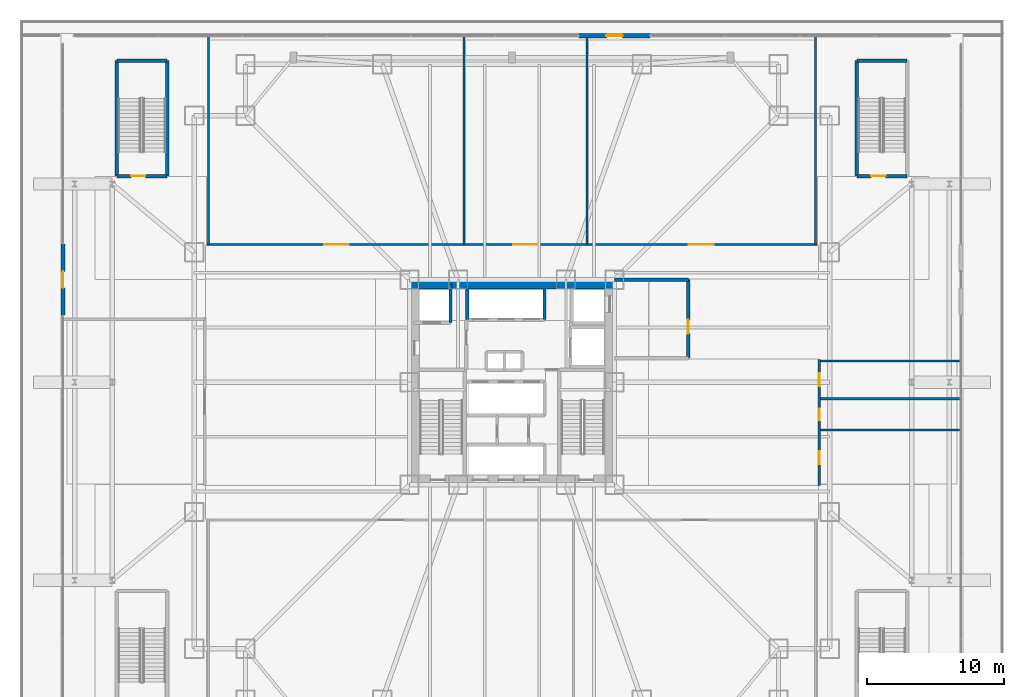
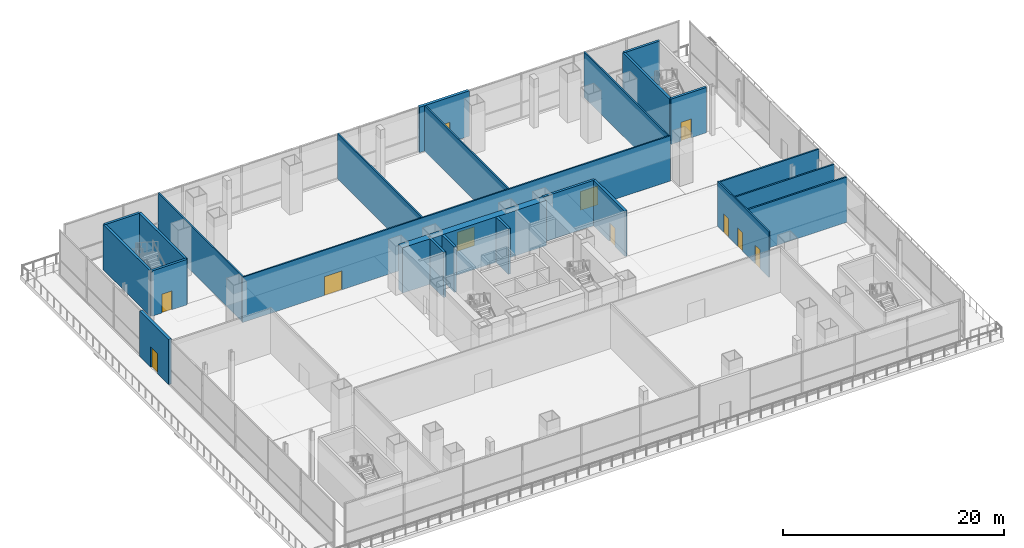
# One storey, part 23 of 36: 24 walls, 11 doors, 11 openings.
"""IFC4 building model written with IfcOpenShell, lengths in metres."""

from ifc_helpers import new_model, si_unit, direction, frame, frame_2d, origin, place, context, subcontext, project, spatial, rectangle, extrude, material, layer, layer_set, type_object, element, fill, save


model = new_model("IFC4")

# Units and contexts
model_context = context("Model", 3, precision=1e-05, world=origin(), true_north=direction((0.0, 1.0)))
body_context = subcontext(model_context, "Body", "Model", "MODEL_VIEW")
ifc_project = project(units=[si_unit("LENGTHUNIT", "METRE"), si_unit("AREAUNIT", "SQUARE_METRE"), si_unit("VOLUMEUNIT", "CUBIC_METRE"), si_unit("PLANEANGLEUNIT", "RADIAN"), si_unit("MASSUNIT", "GRAM", prefix="KILO")], contexts=[model_context])

# Site, building, storey
site_placement = place(None, origin())
site = spatial("IfcSite", under=ifc_project, at=site_placement, CompositionType="ELEMENT")
building_placement = place(site_placement, origin())
building = spatial("IfcBuilding", under=site, at=building_placement, Name="Trevonay Congress Spire", CompositionType="ELEMENT")
storey_placement = place(building_placement, frame((0.0, 0.0, 16.199951171875)))
storey = spatial("IfcBuildingStorey", under=building, at=storey_placement, Name="L03", CompositionType="ELEMENT", Elevation=16.199951171875)

# Wall
ifc_material_1 = material(Name="Concrete C60/75", Category="concrete")
ifc_layer_1 = layer(ifc_material_1, 0.699951171875, Name="Concrete C60/75")
ifc_layer_set_1 = layer_set([ifc_layer_1], Name="Concrete C60/75")
wall_type_1 = type_object("IfcWallType", Name="WAL-CORE-700", PredefinedType="SHEAR", material=ifc_layer_set_1)
wall_1_placement = place(storey_placement, frame((-7.5, 7.14990234375, 0.0), z_axis=(0.0, 0.0, 1.0), x_axis=(1.0, 0.0, 0.0)))
element("IfcWall", 1, at=wall_1_placement, inside=storey, type_object=wall_type_1, Name="L03 North structural core shear wall", PredefinedType="SHEAR", context=body_context, shape_type="SweptSolid", body=[
    extrude(rectangle(XDim=15.0, YDim=0.699951171875, at=frame_2d((7.5, 0.0))), origin(), (0.0, 0.0, 1.0), 5.0),
])

# Wall, openings, doors
ifc_material_2 = material(Name="Concrete C40/50", Category="concrete")
ifc_layer_2 = layer(ifc_material_2, 0.14990234375, Name="Concrete C40/50")
ifc_layer_set_2 = layer_set([ifc_layer_2], Name="Concrete C40/50")
wall_type_2 = type_object("IfcWallType", Name="WAL-CORR-150", PredefinedType="PARTITIONING", material=ifc_layer_set_2)
wall_2_placement = place(storey_placement, frame((-22.320068359375, 10.080078125, 0.0), z_axis=(0.0, 0.0, 1.0), x_axis=(1.0, 0.0, 0.0)))
wall_2 = element("IfcWall", 2, at=wall_2_placement, inside=storey, type_object=wall_type_2, Name="L03 interior wall WP-L03N-COR", PredefinedType="PARTITIONING", context=body_context, shape_type="SweptSolid", body=[
    extrude(rectangle(XDim=44.64013671875, YDim=0.14990234375, at=frame_2d((22.320068359375, 0.0))), origin(), (0.0, 0.0, 1.0), 5.0),
])
opening_1_placement = place(wall_2_placement, frame((8.570068359375, 0.0, 0.0)))
opening_1 = element("IfcOpeningElement", 3, at=opening_1_placement, cuts=wall_2, Name="Opening D09", PredefinedType="OPENING", context=body_context, shape_type="SweptSolid", body=[
    extrude(rectangle(XDim=1.800048828125, YDim=2.080078125, at=frame_2d((0.89990234375, 1.0400390625))), frame((0.0, 0.0849609375, 0.0), z_axis=(0.0, -1.0, 0.0), x_axis=(1.0, 0.0, 0.0)), (0.0, 0.0, 1.0), 0.169921875),
])
opening_2_placement = place(wall_2_placement, frame((22.419921875, 0.0, 0.0)))
opening_2 = element("IfcOpeningElement", 4, at=opening_2_placement, cuts=wall_2, Name="Opening D09", PredefinedType="OPENING", context=body_context, shape_type="SweptSolid", body=[
    extrude(rectangle(XDim=1.800048828125, YDim=2.080078125, at=frame_2d((0.89990234375, 1.0400390625))), frame((0.0, 0.0849609375, 0.0), z_axis=(0.0, -1.0, 0.0), x_axis=(1.0, 0.0, 0.0)), (0.0, 0.0, 1.0), 0.169921875),
])
opening_3_placement = place(wall_2_placement, frame((35.27001953125, 0.0, 0.0)))
opening_3 = element("IfcOpeningElement", 5, at=opening_3_placement, cuts=wall_2, Name="Opening D09", PredefinedType="OPENING", context=body_context, shape_type="SweptSolid", body=[
    extrude(rectangle(XDim=1.800048828125, YDim=2.080078125, at=frame_2d((0.89990234375, 1.0400390625))), frame((0.0, 0.0849609375, 0.0), z_axis=(0.0, -1.0, 0.0), x_axis=(1.0, 0.0, 0.0)), (0.0, 0.0, 1.0), 0.169921875),
])
ifc_material_3 = material(Name="Pale Anodised Aluminium EN AW-6063-T6", Category="aluminium")
door_type_1 = type_object("IfcDoorType", Name="DOR-CONF-DBL", OperationType="DOUBLE_DOOR_SINGLE_SWING", PredefinedType="DOOR", material=ifc_material_3)
door_1_placement = place(opening_1_placement, origin())
door_1 = element("IfcDoor", 6, at=door_1_placement, inside=storey, type_object=door_type_1, Name="L03 Junior Banquet Dining Hall Door", OperationType="DOUBLE_DOOR_SINGLE_SWING", OverallHeight=2.080078125, OverallWidth=1.800048828125, PredefinedType="DOOR", context=body_context, shape_type="SweptSolid", body=[
    extrude(rectangle(XDim=1.800048828125, YDim=2.080078125, at=frame_2d((0.89990234375, 1.0400390625))), frame((0.0, 0.02490234375, 0.0), z_axis=(0.0, -1.0, 0.0), x_axis=(1.0, 0.0, 0.0)), (0.0, 0.0, 1.0), 0.050048828125),
])
fill(opening_1, door_1)
door_2_placement = place(opening_2_placement, origin())
door_2 = element("IfcDoor", 7, at=door_2_placement, inside=storey, type_object=door_type_1, Name="L03 Main Banquet Production Kitchen Door", OperationType="DOUBLE_DOOR_SINGLE_SWING", OverallHeight=2.080078125, OverallWidth=1.800048828125, PredefinedType="DOOR", context=body_context, shape_type="SweptSolid", body=[
    extrude(rectangle(XDim=1.800048828125, YDim=2.080078125, at=frame_2d((0.89990234375, 1.0400390625))), frame((0.0, 0.02490234375, 0.0), z_axis=(0.0, -1.0, 0.0), x_axis=(1.0, 0.0, 0.0)), (0.0, 0.0, 1.0), 0.050048828125),
])
fill(opening_2, door_2)
door_3_placement = place(opening_3_placement, origin())
door_3 = element("IfcDoor", 8, at=door_3_placement, inside=storey, type_object=door_type_1, Name="L03 Pastry Kitchen Door", OperationType="DOUBLE_DOOR_SINGLE_SWING", OverallHeight=2.080078125, OverallWidth=1.800048828125, PredefinedType="DOOR", context=body_context, shape_type="SweptSolid", body=[
    extrude(rectangle(XDim=1.800048828125, YDim=2.080078125, at=frame_2d((0.89990234375, 1.0400390625))), frame((0.0, 0.02490234375, 0.0), z_axis=(0.0, -1.0, 0.0), x_axis=(1.0, 0.0, 0.0)), (0.0, 0.0, 1.0), 0.050048828125),
])
fill(opening_3, door_3)

wall_3_placement = place(storey_placement, frame((22.47998046875, -7.570068359375, 0.0), z_axis=(0.0, 0.0, 1.0), x_axis=(0.0, 1.0, 0.0)))
wall_3 = element("IfcWall", 9, at=wall_3_placement, inside=storey, type_object=wall_type_2, Name="L03 interior wall WP-L03E-COR", PredefinedType="PARTITIONING", context=body_context, shape_type="SweptSolid", body=[
    extrude(rectangle(XDim=9.239990234375, YDim=0.14990234375, at=frame_2d((4.6201171875, 0.0))), origin(), (0.0, 0.0, 1.0), 5.0),
])
opening_4_placement = place(wall_3_placement, frame((1.580078125, 0.0, 0.0)))
opening_4 = element("IfcOpeningElement", 10, at=opening_4_placement, cuts=wall_3, Name="Opening D07", PredefinedType="OPENING", context=body_context, shape_type="SweptSolid", body=[
    extrude(rectangle(XDim=0.949951171875, YDim=2.06005859375, at=frame_2d((0.47509765625, 1.030029296875))), frame((0.0, 0.0849609375, 0.0), z_axis=(0.0, -1.0, 0.0), x_axis=(1.0, 0.0, 0.0)), (0.0, 0.0, 1.0), 0.169921875),
])
opening_5_placement = place(wall_3_placement, frame((4.784912109375, 0.0, 0.0)))
opening_5 = element("IfcOpeningElement", 11, at=opening_5_placement, cuts=wall_3, Name="Opening D10", PredefinedType="OPENING", context=body_context, shape_type="SweptSolid", body=[
    extrude(rectangle(XDim=0.85009765625, YDim=2.050048828125, at=frame_2d((0.425048828125, 1.02490234375))), frame((0.0, 0.0849609375, 0.0), z_axis=(0.0, -1.0, 0.0), x_axis=(1.0, 0.0, 0.0)), (0.0, 0.0, 1.0), 0.169921875),
])
opening_6_placement = place(wall_3_placement, frame((7.260009765625, 0.0, 0.0)))
opening_6 = element("IfcOpeningElement", 12, at=opening_6_placement, cuts=wall_3, Name="Opening D07", PredefinedType="OPENING", context=body_context, shape_type="SweptSolid", body=[
    extrude(rectangle(XDim=0.949951171875, YDim=2.06005859375, at=frame_2d((0.47509765625, 1.030029296875))), frame((0.0, 0.0849609375, 0.0), z_axis=(0.0, -1.0, 0.0), x_axis=(1.0, 0.0, 0.0)), (0.0, 0.0, 1.0), 0.169921875),
])
door_type_2 = type_object("IfcDoorType", Name="DOR-OFFICE-95", OperationType="NOTDEFINED", PredefinedType="DOOR", material=ifc_material_3)
door_4_placement = place(opening_4_placement, origin())
door_4 = element("IfcDoor", 13, at=door_4_placement, inside=storey, type_object=door_type_2, Name="L03 Ballroom AV Control Office Door", OperationType="SINGLE_SWING_RIGHT", OverallHeight=2.06005859375, OverallWidth=0.949951171875, PredefinedType="DOOR", context=body_context, shape_type="SweptSolid", body=[
    extrude(rectangle(XDim=0.949951171875, YDim=2.06005859375, at=frame_2d((0.47509765625, 1.030029296875))), frame((0.0, 0.02490234375, 0.0), z_axis=(0.0, -1.0, 0.0), x_axis=(1.0, 0.0, 0.0)), (0.0, 0.0, 1.0), 0.050048828125),
])
fill(opening_4, door_4)
door_5_placement = place(opening_6_placement, origin())
door_5 = element("IfcDoor", 14, at=door_5_placement, inside=storey, type_object=door_type_2, Name="L03 Floor Supplies and Copy Room Door", OperationType="SINGLE_SWING_RIGHT", OverallHeight=2.06005859375, OverallWidth=0.949951171875, PredefinedType="DOOR", context=body_context, shape_type="SweptSolid", body=[
    extrude(rectangle(XDim=0.949951171875, YDim=2.06005859375, at=frame_2d((0.47509765625, 1.030029296875))), frame((0.0, 0.02490234375, 0.0), z_axis=(0.0, -1.0, 0.0), x_axis=(1.0, 0.0, 0.0)), (0.0, 0.0, 1.0), 0.050048828125),
])
fill(opening_6, door_5)
door_type_3 = type_object("IfcDoorType", Name="DOR-WC-85", OperationType="NOTDEFINED", PredefinedType="DOOR", material=ifc_material_3)
door_6_placement = place(opening_5_placement, origin())
door_6 = element("IfcDoor", 15, at=door_6_placement, inside=storey, type_object=door_type_3, Name="L03 Female Restroom WC Door", OperationType="SINGLE_SWING_LEFT", OverallHeight=2.050048828125, OverallWidth=0.85009765625, PredefinedType="DOOR", context=body_context, shape_type="SweptSolid", body=[
    extrude(rectangle(XDim=0.85009765625, YDim=2.050048828125, at=frame_2d((0.425048828125, 1.02490234375))), frame((0.0, 0.02490234375, 0.0), z_axis=(0.0, -1.0, 0.0), x_axis=(1.0, 0.0, 0.0)), (0.0, 0.0, 1.0), 0.050048828125),
])
fill(opening_5, door_6)

# Wall, opening, door
ifc_material_4 = material(Name="Precast concrete C40/50", Category="concrete")
ifc_layer_3 = layer(ifc_material_4, 0.300048828125, Name="Precast concrete C40/50")
ifc_layer_set_3 = layer_set([ifc_layer_3], Name="Precast concrete C40/50")
wall_type_3 = type_object("IfcWallType", Name="WAL-EXT-PRECAST-300", PredefinedType="SOLIDWALL", material=ifc_layer_set_3)
wall_4_placement = place(storey_placement, frame((-32.85009765625, 4.89990234375, 0.0), z_axis=(0.0, 0.0, 1.0), x_axis=(0.0, 1.0, 0.0)))
wall_4 = element("IfcWall", 16, at=wall_4_placement, inside=storey, type_object=wall_type_3, Name="L03 W terrace doorway backup wall", PredefinedType="SOLIDWALL", context=body_context, shape_type="SweptSolid", body=[
    extrude(rectangle(XDim=5.2001953125, YDim=0.300048828125, at=frame_2d((2.60009765625, 0.0))), origin(), (0.0, 0.0, 1.0), 5.0),
])
opening_7_placement = place(wall_4_placement, frame((2.0, 0.0, 0.0)))
opening_7 = element("IfcOpeningElement", 17, at=opening_7_placement, cuts=wall_4, Name="Opening D12", PredefinedType="OPENING", context=body_context, shape_type="SweptSolid", body=[
    extrude(rectangle(XDim=1.199951171875, YDim=2.25, at=frame_2d((0.60009765625, 1.125))), frame((0.0, 0.16015625, 0.0), z_axis=(0.0, -1.0, 0.0), x_axis=(1.0, 0.0, 0.0)), (0.0, 0.0, 1.0), 0.320068359375),
])
door_type_4 = type_object("IfcDoorType", Name="DOR-EXT-TERR-120", OperationType="NOTDEFINED", PredefinedType="DOOR", material=ifc_material_3)
door_7_placement = place(opening_7_placement, origin())
door_7 = element("IfcDoor", 18, at=door_7_placement, inside=storey, type_object=door_type_4, Name="L03 W stepped terrace access door", OperationType="SINGLE_SWING_LEFT", OverallHeight=2.25, OverallWidth=1.199951171875, PredefinedType="DOOR", context=body_context, shape_type="SweptSolid", body=[
    extrude(rectangle(XDim=1.199951171875, YDim=2.25, at=frame_2d((0.60009765625, 1.125))), frame((0.0, 0.02490234375, 0.0), z_axis=(0.0, -1.0, 0.0), x_axis=(1.0, 0.0, 0.0)), (0.0, 0.0, 1.0), 0.050048828125),
])
fill(opening_7, door_7)

wall_5_placement = place(storey_placement, frame((4.89990234375, 25.35009765625, 0.0), z_axis=(0.0, 0.0, 1.0), x_axis=(1.0, 0.0, 0.0)))
wall_5 = element("IfcWall", 19, at=wall_5_placement, inside=storey, type_object=wall_type_3, Name="L03 N terrace doorway backup wall", PredefinedType="SOLIDWALL", context=body_context, shape_type="SweptSolid", body=[
    extrude(rectangle(XDim=5.2001953125, YDim=0.300048828125, at=frame_2d((2.60009765625, 0.0))), origin(), (0.0, 0.0, 1.0), 5.0),
])
opening_8_placement = place(wall_5_placement, frame((2.0, 0.0, 0.0)))
opening_8 = element("IfcOpeningElement", 20, at=opening_8_placement, cuts=wall_5, Name="Opening D12", PredefinedType="OPENING", context=body_context, shape_type="SweptSolid", body=[
    extrude(rectangle(XDim=1.199951171875, YDim=2.25, at=frame_2d((0.60009765625, 1.125))), frame((0.0, 0.16015625, 0.0), z_axis=(0.0, -1.0, 0.0), x_axis=(1.0, 0.0, 0.0)), (0.0, 0.0, 1.0), 0.320068359375),
])
door_8_placement = place(opening_8_placement, origin())
door_8 = element("IfcDoor", 21, at=door_8_placement, inside=storey, type_object=door_type_4, Name="L03 N stepped terrace access door", OperationType="SINGLE_SWING_LEFT", OverallHeight=2.25, OverallWidth=1.199951171875, PredefinedType="DOOR", context=body_context, shape_type="SweptSolid", body=[
    extrude(rectangle(XDim=1.199951171875, YDim=2.25, at=frame_2d((0.60009765625, 1.125))), frame((0.0, 0.02490234375, 0.0), z_axis=(0.0, -1.0, 0.0), x_axis=(1.0, 0.0, 0.0)), (0.0, 0.0, 1.0), 0.050048828125),
])
fill(opening_8, door_8)

# Walls
ifc_layer_4 = layer(ifc_material_2, 0.14990234375, Name="Concrete C40/50")
ifc_layer_set_4 = layer_set([ifc_layer_4], Name="Concrete C40/50")
wall_type_4 = type_object("IfcWallType", Name="WAL-PART-150", PredefinedType="PARTITIONING", material=ifc_layer_set_4)
for number, where, z_axis, x_axis, name in (
    (22, (-22.199951171875, 10.080078125, 0.0), (0.0, 0.0, 1.0), (0.0, 1.0, 0.0), "L03 interior wall WP-L03N-DIV1"),
    (23, (-3.5, 10.080078125, 0.0), (0.0, 0.0, 1.0), (0.0, 1.0, 0.0), "L03 interior wall WP-L03N-DIV2"),
    (24, (5.5, 10.080078125, 0.0), (0.0, 0.0, 1.0), (0.0, 1.0, 0.0), "L03 interior wall WP-L03N-DIV3"),
    (25, (22.199951171875, 10.080078125, 0.0), (0.0, 0.0, 1.0), (0.0, 1.0, 0.0), "L03 interior wall WP-L03N-DIV4"),
):
    element("IfcWall", number, at=place(storey_placement, frame(where, z_axis=z_axis, x_axis=x_axis)), inside=storey, type_object=wall_type_4, Name=name, PredefinedType="PARTITIONING", context=body_context, shape_type="SweptSolid", body=[
        extrude(rectangle(XDim=15.27001953125, YDim=0.14990234375, at=frame_2d((7.635009765625, 0.0))), origin(), (0.0, 0.0, 1.0), 5.0),
    ])
ifc_layer_5 = layer(ifc_material_2, 0.25, Name="Concrete C40/50")
ifc_layer_set_5 = layer_set([ifc_layer_5], Name="Concrete C40/50")
wall_type_5 = type_object("IfcWallType", Name="WAL-SHAFT-250", PredefinedType="SHEAR", material=ifc_layer_set_5)
for number, where, z_axis, x_axis, name in (
    (26, (-3.260009765625, 4.580078125, 0.0), (0.0, 0.0, 1.0), (0.0, 1.0, 0.0), "L03 interior shaft wall WSH-L03-B3-W"),
    (27, (2.3798828125, 4.580078125, 0.0), (0.0, 0.0, 1.0), (0.0, 1.0, 0.0), "L03 interior shaft wall WSH-L03-B3-E"),
):
    element("IfcWall", number, at=place(storey_placement, frame(where, z_axis=z_axis, x_axis=x_axis)), inside=storey, type_object=wall_type_5, Name=name, PredefinedType="SHEAR", context=body_context, shape_type="SweptSolid", body=[
        extrude(rectangle(XDim=2.219970703125, YDim=0.25, at=frame_2d((1.10986328125, 0.0))), origin(), (0.0, 0.0, 1.0), 5.0),
    ])
wall_6_placement = place(storey_placement, frame((-4.5, 4.35009765625, 0.0), z_axis=(0.0, 0.0, 1.0), x_axis=(0.0, 1.0, 0.0)))
element("IfcWall", 28, at=wall_6_placement, inside=storey, type_object=wall_type_5, Name="L03 interior shaft wall WSH-L03-FF1-E", PredefinedType="SHEAR", context=body_context, shape_type="SweptSolid", body=[
    extrude(rectangle(XDim=2.849853515625, YDim=0.25, at=frame_2d((1.4248046875, 0.0))), origin(), (0.0, 0.0, 1.0), 5.0),
])

# Wall, opening, door
wall_7_placement = place(storey_placement, frame((12.89990234375, 1.75, 0.0), z_axis=(0.0, 0.0, 1.0), x_axis=(0.0, 1.0, 0.0)))
wall_7 = element("IfcWall", 29, at=wall_7_placement, inside=storey, type_object=wall_type_5, Name="L03 interior wall WP-L03-FFLE-E", PredefinedType="SHEAR", context=body_context, shape_type="SweptSolid", body=[
    extrude(rectangle(XDim=5.75, YDim=0.25, at=frame_2d((2.875, 0.0))), origin(), (0.0, 0.0, 1.0), 5.0),
])
opening_9_placement = place(wall_7_placement, frame((1.800048828125, 0.0, 0.0)))
opening_9 = element("IfcOpeningElement", 30, at=opening_9_placement, cuts=wall_7, Name="Opening D06", PredefinedType="OPENING", context=body_context, shape_type="SweptSolid", body=[
    extrude(rectangle(XDim=1.0, YDim=2.080078125, at=frame_2d((0.5, 1.0400390625))), frame((0.0, 0.135009765625, 0.0), z_axis=(0.0, -1.0, 0.0), x_axis=(1.0, 0.0, 0.0)), (0.0, 0.0, 1.0), 0.27001953125),
])
ifc_material_5 = material(Name="Steel ASTM A572 Grade 50", Category="steel")
door_type_5 = type_object("IfcDoorType", Name="DOR-FIRE-100", OperationType="NOTDEFINED", PredefinedType="DOOR", material=ifc_material_5)
door_9_placement = place(opening_9_placement, origin())
door_9 = element("IfcDoor", 31, at=door_9_placement, inside=storey, type_object=door_type_5, Name="L03 L03 Firefighting Lobby East Door", OperationType="SINGLE_SWING_LEFT", OverallHeight=2.080078125, OverallWidth=1.0, PredefinedType="DOOR", context=body_context, shape_type="SweptSolid", body=[
    extrude(rectangle(XDim=1.0, YDim=2.080078125, at=frame_2d((0.5, 1.0400390625))), frame((0.0, 0.02490234375, 0.0), z_axis=(0.0, -1.0, 0.0), x_axis=(1.0, 0.0, 0.0)), (0.0, 0.0, 1.0), 0.050048828125),
])
fill(opening_9, door_9)

# Wall
wall_8_placement = place(storey_placement, frame((7.5, 7.5, 0.0), z_axis=(0.0, 0.0, 1.0), x_axis=(1.0, 0.0, 0.0)))
element("IfcWall", 32, at=wall_8_placement, inside=storey, type_object=wall_type_5, Name="L03 interior wall WP-L03-FFLE-N", PredefinedType="SHEAR", context=body_context, shape_type="SweptSolid", body=[
    extrude(rectangle(XDim=5.39990234375, YDim=0.25, at=frame_2d((2.699951171875, 0.0))), origin(), (0.0, 0.0, 1.0), 5.0),
])

# Wall, opening, door
ifc_layer_6 = layer(ifc_material_2, 0.25, Name="Concrete C40/50")
ifc_layer_set_6 = layer_set([ifc_layer_6], Name="Concrete C40/50")
wall_type_6 = type_object("IfcWallType", Name="WAL-SHAFT-LB-250", PredefinedType="SHEAR", material=ifc_layer_set_6)
wall_9_placement = place(storey_placement, frame((-28.919921875, 15.080078125, 0.0), z_axis=(0.0, 0.0, 1.0), x_axis=(1.0, 0.0, 0.0)))
wall_9 = element("IfcWall", 33, at=wall_9_placement, inside=storey, type_object=wall_type_6, Name="L03 interior shaft wall WSH-L03-ST-5-S", PredefinedType="SHEAR", context=body_context, shape_type="SweptSolid", body=[
    extrude(rectangle(XDim=3.68994140625, YDim=0.25, at=frame_2d((1.844970703125, 0.0))), origin(), (0.0, 0.0, 1.0), 5.0),
])
opening_10_placement = place(wall_9_placement, frame((1.050048828125, 0.0, 0.0)))
opening_10 = element("IfcOpeningElement", 34, at=opening_10_placement, cuts=wall_9, Name="Opening D05", PredefinedType="OPENING", context=body_context, shape_type="SweptSolid", body=[
    extrude(rectangle(XDim=1.050048828125, YDim=2.080078125, at=frame_2d((0.52490234375, 1.0400390625))), frame((0.0, 0.135009765625, 0.0), z_axis=(0.0, -1.0, 0.0), x_axis=(1.0, 0.0, 0.0)), (0.0, 0.0, 1.0), 0.27001953125),
])
door_type_6 = type_object("IfcDoorType", Name="DOR-STAIR-110", OperationType="NOTDEFINED", PredefinedType="DOOR", material=ifc_material_5)
door_10_placement = place(opening_10_placement, origin())
door_10 = element("IfcDoor", 35, at=door_10_placement, inside=storey, type_object=door_type_6, Name="L03 Escape Stair ST-5 Door", OperationType="SINGLE_SWING_LEFT", OverallHeight=2.080078125, OverallWidth=1.050048828125, PredefinedType="DOOR", context=body_context, shape_type="SweptSolid", body=[
    extrude(rectangle(XDim=1.050048828125, YDim=2.080078125, at=frame_2d((0.52490234375, 1.0400390625))), frame((0.0, 0.02490234375, 0.0), z_axis=(0.0, -1.0, 0.0), x_axis=(1.0, 0.0, 0.0)), (0.0, 0.0, 1.0), 0.050048828125),
])
fill(opening_10, door_10)

# Walls
wall_10_placement = place(storey_placement, frame((-28.919921875, 23.52001953125, 0.0), z_axis=(0.0, 0.0, 1.0), x_axis=(1.0, 0.0, 0.0)))
element("IfcWall", 36, at=wall_10_placement, inside=storey, type_object=wall_type_6, Name="L03 interior shaft wall WSH-L03-ST-5-N", PredefinedType="SHEAR", context=body_context, shape_type="SweptSolid", body=[
    extrude(rectangle(XDim=3.68994140625, YDim=0.25, at=frame_2d((1.844970703125, 0.0))), origin(), (0.0, 0.0, 1.0), 5.0),
])
for number, where, z_axis, x_axis, name in (
    (37, (-28.919921875, 15.080078125, 0.0), (0.0, 0.0, 1.0), (0.0, 1.0, 0.0), "L03 interior shaft wall WSH-L03-ST-5-W"),
    (38, (-25.22998046875, 15.080078125, 0.0), (0.0, 0.0, 1.0), (0.0, 1.0, 0.0), "L03 interior shaft wall WSH-L03-ST-5-E"),
):
    element("IfcWall", number, at=place(storey_placement, frame(where, z_axis=z_axis, x_axis=x_axis)), inside=storey, type_object=wall_type_6, Name=name, PredefinedType="SHEAR", context=body_context, shape_type="SweptSolid", body=[
        extrude(rectangle(XDim=8.43994140625, YDim=0.25, at=frame_2d((4.219970703125, 0.0))), origin(), (0.0, 0.0, 1.0), 5.0),
    ])

# Wall, opening, door
wall_11_placement = place(storey_placement, frame((25.22998046875, 15.080078125, 0.0), z_axis=(0.0, 0.0, 1.0), x_axis=(1.0, 0.0, 0.0)))
wall_11 = element("IfcWall", 39, at=wall_11_placement, inside=storey, type_object=wall_type_6, Name="L03 interior shaft wall WSH-L03-ST-6-S", PredefinedType="SHEAR", context=body_context, shape_type="SweptSolid", body=[
    extrude(rectangle(XDim=3.68994140625, YDim=0.25, at=frame_2d((1.844970703125, 0.0))), origin(), (0.0, 0.0, 1.0), 5.0),
])
opening_11_placement = place(wall_11_placement, frame((1.050048828125, 0.0, 0.0)))
opening_11 = element("IfcOpeningElement", 40, at=opening_11_placement, cuts=wall_11, Name="Opening D05", PredefinedType="OPENING", context=body_context, shape_type="SweptSolid", body=[
    extrude(rectangle(XDim=1.050048828125, YDim=2.080078125, at=frame_2d((0.52490234375, 1.0400390625))), frame((0.0, 0.135009765625, 0.0), z_axis=(0.0, -1.0, 0.0), x_axis=(1.0, 0.0, 0.0)), (0.0, 0.0, 1.0), 0.27001953125),
])
door_11_placement = place(opening_11_placement, origin())
door_11 = element("IfcDoor", 41, at=door_11_placement, inside=storey, type_object=door_type_6, Name="L03 Escape Stair ST-6 Door", OperationType="SINGLE_SWING_RIGHT", OverallHeight=2.080078125, OverallWidth=1.050048828125, PredefinedType="DOOR", context=body_context, shape_type="SweptSolid", body=[
    extrude(rectangle(XDim=1.050048828125, YDim=2.080078125, at=frame_2d((0.52490234375, 1.0400390625))), frame((0.0, 0.02490234375, 0.0), z_axis=(0.0, -1.0, 0.0), x_axis=(1.0, 0.0, 0.0)), (0.0, 0.0, 1.0), 0.050048828125),
])
fill(opening_11, door_11)

# Walls
wall_12_placement = place(storey_placement, frame((25.22998046875, 23.52001953125, 0.0), z_axis=(0.0, 0.0, 1.0), x_axis=(1.0, 0.0, 0.0)))
element("IfcWall", 42, at=wall_12_placement, inside=storey, type_object=wall_type_6, Name="L03 interior shaft wall WSH-L03-ST-6-N", PredefinedType="SHEAR", context=body_context, shape_type="SweptSolid", body=[
    extrude(rectangle(XDim=3.68994140625, YDim=0.25, at=frame_2d((1.844970703125, 0.0))), origin(), (0.0, 0.0, 1.0), 5.0),
])
wall_13_placement = place(storey_placement, frame((25.22998046875, 15.080078125, 0.0), z_axis=(0.0, 0.0, 1.0), x_axis=(0.0, 1.0, 0.0)))
element("IfcWall", 43, at=wall_13_placement, inside=storey, type_object=wall_type_6, Name="L03 interior shaft wall WSH-L03-ST-6-W", PredefinedType="SHEAR", context=body_context, shape_type="SweptSolid", body=[
    extrude(rectangle(XDim=8.43994140625, YDim=0.25, at=frame_2d((4.219970703125, 0.0))), origin(), (0.0, 0.0, 1.0), 5.0),
])
ifc_layer_7 = layer(ifc_material_2, 0.1650390625, Name="Concrete C40/50")
ifc_layer_set_7 = layer_set([ifc_layer_7], Name="Concrete C40/50")
wall_type_7 = type_object("IfcWallType", Name="WAL-WET-165", PredefinedType="PLUMBINGWALL", material=ifc_layer_set_7)
for number, where, z_axis, x_axis, name in (
    (44, (22.47998046875, -1.219970703125, 0.0), (0.0, 0.0, 1.0), (1.0, 0.0, 0.0), "L03 interior wall WP-L03E-WCS2"),
    (45, (22.47998046875, -3.5, 0.0), (0.0, 0.0, 1.0), (1.0, 0.0, 0.0), "L03 interior wall WP-L03E-DIV1"),
    (46, (22.47998046875, 1.550048828125, 0.0), (0.0, 0.0, 1.0), (1.0, 0.0, 0.0), "L03 interior wall WP-L03E-DIV2"),
):
    element("IfcWall", number, at=place(storey_placement, frame(where, z_axis=z_axis, x_axis=x_axis)), inside=storey, type_object=wall_type_7, Name=name, PredefinedType="PLUMBINGWALL", context=body_context, shape_type="SweptSolid", body=[
        extrude(rectangle(XDim=10.3701171875, YDim=0.1650390625, at=frame_2d((5.18505859375, 0.0))), origin(), (0.0, 0.0, 1.0), 5.0),
    ])

save(model, "model.ifc")
